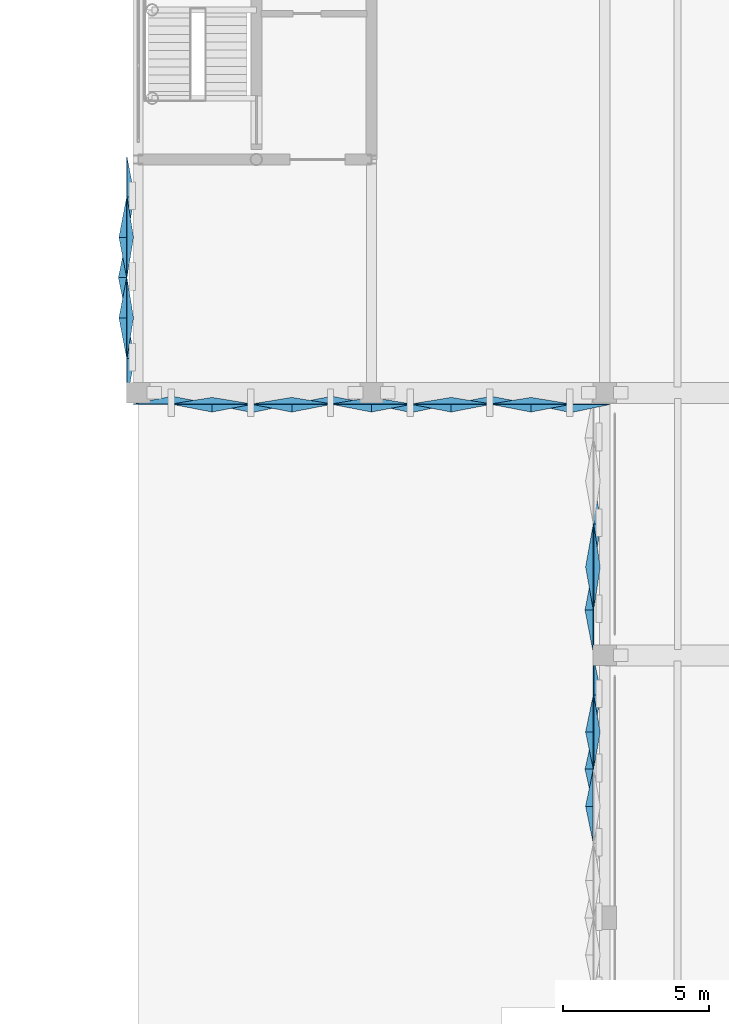
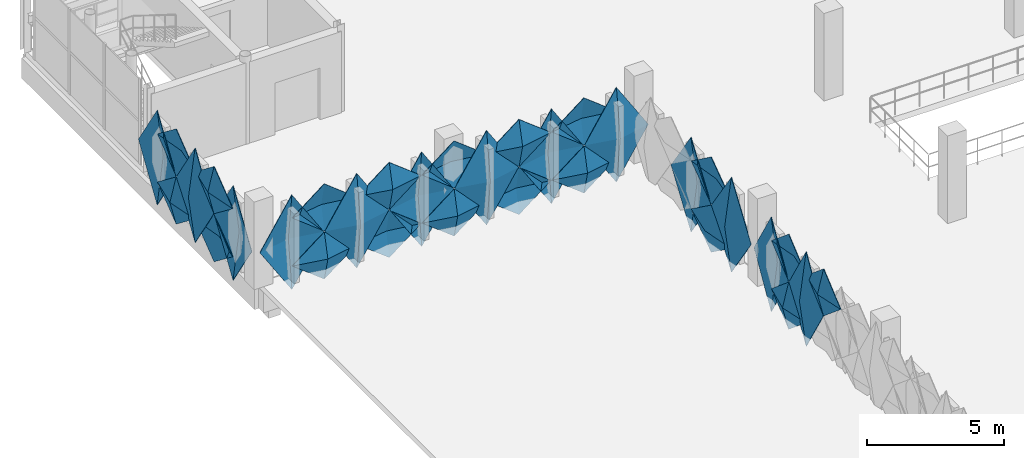
# One storey, part 66 of 96: 32 plates.
"""IFC4 building model written with IfcOpenShell, lengths in metres."""

from ifc_helpers import new_model, si_unit, derived_unit, direction, frame, origin, place, context, subcontext, project, spatial, polygons, material, layer, layer_set, type_object, element, save


model = new_model("IFC4")

# Units and contexts
model_context = context("Model", 3, precision=1e-05, world=origin(), true_north=direction((0.0, 1.0)))
body_context = subcontext(model_context, "Body", "Model", "MODEL_VIEW")
ifc_project = project(units=[si_unit("LENGTHUNIT", "METRE"), si_unit("AREAUNIT", "SQUARE_METRE"), si_unit("VOLUMEUNIT", "CUBIC_METRE"), si_unit("PLANEANGLEUNIT", "RADIAN"), si_unit("MASSUNIT", "GRAM", prefix="KILO"), si_unit("THERMODYNAMICTEMPERATUREUNIT", "KELVIN"), derived_unit("THERMALTRANSMITTANCEUNIT", [(si_unit("POWERUNIT", "WATT"), 1), (si_unit("AREAUNIT", "SQUARE_METRE"), -1), (si_unit("THERMODYNAMICTEMPERATUREUNIT", "KELVIN"), -1)])], contexts=[model_context])

# Site, building, storey
site_placement = place(None, origin())
site = spatial("IfcSite", under=ifc_project, at=site_placement, CompositionType="ELEMENT")
building_placement = place(site_placement, origin())
building = spatial("IfcBuilding", under=site, at=building_placement, Name="Haiyu Intermodal Mobility Hub", CompositionType="ELEMENT")
storey_placement = place(building_placement, frame((0.0, 0.0, 9.5)))
storey = spatial("IfcBuildingStorey", under=building, at=storey_placement, Name="L02", CompositionType="ELEMENT", Elevation=9.5)

# Plates
ifc_material = material(Name="Anodised aluminium 6063-T6", Category="aluminium")
ifc_layer_1 = layer(ifc_material, 0.01806640625)
ifc_layer_set_1 = layer_set([ifc_layer_1], Name="Anodised aluminium 6063-T6")
plate_type_1 = type_object("IfcPlateType", Name="PLT-FC01", PredefinedType="USERDEFINED", material=ifc_layer_set_1)
plate_1_placement = place(storey_placement, origin())
element("IfcPlate", 1, at=plate_1_placement, inside=storey, type_object=plate_type_1, Name="PLT-PYR-0629", ObjectType="FACADE CASSETTE", PredefinedType="USERDEFINED", context=body_context, shape_type="Tessellation", body=[
    polygons([(37.60009765625, 123.552978515625, -0.510009765625), (37.60009765625, 122.10009765625, 1.60009765625), (37.60009765625, 123.552978515625, 3.7099609375), (37.60009765625, 125.007080078125, 1.60009765625), (37.320068359375, 123.552978515625, 1.60009765625), (37.6220703125, 123.552978515625, -0.510009765625), (37.6220703125, 122.10009765625, 1.60009765625), (37.6220703125, 123.552978515625, 3.7099609375), (37.6220703125, 125.007080078125, 1.60009765625), (37.342041015625, 123.552978515625, 1.60009765625)], [[[1, 2, 5]], [[2, 3, 5]], [[3, 4, 5]], [[4, 1, 5]], [[7, 6, 10]], [[8, 7, 10]], [[9, 8, 10]], [[6, 9, 10]], [[1, 6, 7, 2]], [[2, 7, 8, 3]], [[3, 8, 9, 4]], [[4, 9, 6, 1]]], closed=True),
])
ifc_layer_2 = layer(ifc_material, 0.02001953125)
ifc_layer_set_2 = layer_set([ifc_layer_2], Name="Anodised aluminium 6063-T6")
plate_type_2 = type_object("IfcPlateType", Name="PLT-FC02", PredefinedType="USERDEFINED", material=ifc_layer_set_2)
plate_2_placement = place(storey_placement, origin())
element("IfcPlate", 2, at=plate_2_placement, inside=storey, type_object=plate_type_2, Name="PLT-PYR-2301", ObjectType="FACADE CASSETTE", PredefinedType="USERDEFINED", context=body_context, shape_type="Tessellation", body=[
    polygons([(21.60009765625, 132.18310546875, -0.510009765625), (21.60009765625, 130.820068359375, 1.60009765625), (21.60009765625, 132.18310546875, 3.7099609375), (21.60009765625, 133.547119140625, 1.60009765625), (21.860107421875, 132.18310546875, 1.60009765625), (21.6220703125, 132.18310546875, -0.510009765625), (21.6220703125, 130.820068359375, 1.60009765625), (21.6220703125, 132.18310546875, 3.7099609375), (21.6220703125, 133.547119140625, 1.60009765625), (21.882080078125, 132.18310546875, 1.60009765625)], [[[1, 2, 5]], [[2, 3, 5]], [[3, 4, 5]], [[4, 1, 5]], [[7, 6, 10]], [[8, 7, 10]], [[9, 8, 10]], [[6, 9, 10]], [[1, 6, 7, 2]], [[2, 7, 8, 3]], [[3, 8, 9, 4]], [[4, 9, 6, 1]]], closed=True),
])
plate_3_placement = place(storey_placement, origin())
element("IfcPlate", 3, at=plate_3_placement, inside=storey, type_object=plate_type_2, Name="PLT-PYR-2329", ObjectType="FACADE CASSETTE", PredefinedType="USERDEFINED", context=body_context, shape_type="Tessellation", body=[
    polygons([(28.633056640625, 130.60009765625, -0.510009765625), (29.97998046875, 130.60009765625, 1.60009765625), (28.633056640625, 130.60009765625, 3.7099609375), (27.287109375, 130.60009765625, 1.60009765625), (28.633056640625, 130.860107421875, 1.60009765625), (28.633056640625, 130.6220703125, -0.510009765625), (29.97998046875, 130.6220703125, 1.60009765625), (28.633056640625, 130.6220703125, 3.7099609375), (27.287109375, 130.6220703125, 1.60009765625), (28.633056640625, 130.882080078125, 1.60009765625)], [[[1, 2, 5]], [[2, 3, 5]], [[3, 4, 5]], [[4, 1, 5]], [[7, 6, 10]], [[8, 7, 10]], [[9, 8, 10]], [[6, 9, 10]], [[1, 6, 7, 2]], [[2, 7, 8, 3]], [[3, 8, 9, 4]], [[4, 9, 6, 1]]], closed=True),
])
ifc_layer_3 = layer(ifc_material, 0.01806640625)
ifc_layer_set_3 = layer_set([ifc_layer_3], Name="Anodised aluminium 6063-T6")
plate_type_3 = type_object("IfcPlateType", Name="PLT-FC03", PredefinedType="USERDEFINED", material=ifc_layer_set_3)
plate_4_placement = place(storey_placement, origin())
element("IfcPlate", 4, at=plate_4_placement, inside=storey, type_object=plate_type_3, Name="PLT-PYR-2332", ObjectType="FACADE CASSETTE", PredefinedType="USERDEFINED", context=body_context, shape_type="Tessellation", body=[
    polygons([(31.366943359375, 130.60009765625, -0.510009765625), (32.712890625, 130.60009765625, 1.60009765625), (31.366943359375, 130.60009765625, 3.7099609375), (30.02001953125, 130.60009765625, 1.60009765625), (31.366943359375, 130.320068359375, 1.60009765625), (31.366943359375, 130.6220703125, -0.510009765625), (32.712890625, 130.6220703125, 1.60009765625), (31.366943359375, 130.6220703125, 3.7099609375), (30.02001953125, 130.6220703125, 1.60009765625), (31.366943359375, 130.342041015625, 1.60009765625)], [[[1, 2, 5]], [[2, 3, 5]], [[3, 4, 5]], [[4, 1, 5]], [[7, 6, 10]], [[8, 7, 10]], [[9, 8, 10]], [[6, 9, 10]], [[1, 6, 7, 2]], [[2, 7, 8, 3]], [[3, 8, 9, 4]], [[4, 9, 6, 1]]], closed=True),
])
ifc_layer_4 = layer(ifc_material, 0.01806640625)
ifc_layer_set_4 = layer_set([ifc_layer_4], Name="Anodised aluminium 6063-T6")
plate_type_4 = type_object("IfcPlateType", Name="PLT-FC05", PredefinedType="USERDEFINED", material=ifc_layer_set_4)
plate_5_placement = place(storey_placement, origin())
element("IfcPlate", 5, at=plate_5_placement, inside=storey, type_object=plate_type_4, Name="PLT-PYR-0541", ObjectType="FACADE CASSETTE", PredefinedType="USERDEFINED", context=body_context, shape_type="Tessellation", body=[
    polygons([(37.60009765625, 119.37109375, -0.52001953125), (37.60009765625, 118.116943359375, 0.530029296875), (37.60009765625, 119.37109375, 1.580078125), (37.60009765625, 120.6259765625, 0.530029296875), (37.340087890625, 119.37109375, 0.530029296875), (37.6220703125, 119.37109375, -0.52001953125), (37.6220703125, 118.116943359375, 0.530029296875), (37.6220703125, 119.37109375, 1.580078125), (37.6220703125, 120.6259765625, 0.530029296875), (37.362060546875, 119.37109375, 0.530029296875)], [[[1, 2, 5]], [[2, 3, 5]], [[3, 4, 5]], [[4, 1, 5]], [[7, 6, 10]], [[8, 7, 10]], [[9, 8, 10]], [[6, 9, 10]], [[1, 6, 7, 2]], [[2, 7, 8, 3]], [[3, 8, 9, 4]], [[4, 9, 6, 1]]], closed=True),
])
plate_6_placement = place(storey_placement, origin())
element("IfcPlate", 6, at=plate_6_placement, inside=storey, type_object=plate_type_4, Name="PLT-PYR-0627", ObjectType="FACADE CASSETTE", PredefinedType="USERDEFINED", context=body_context, shape_type="Tessellation", body=[
    polygons([(37.60009765625, 125.027099609375, -0.52001953125), (37.60009765625, 123.572998046875, 0.530029296875), (37.60009765625, 125.027099609375, 1.580078125), (37.60009765625, 126.47998046875, 0.530029296875), (37.340087890625, 125.027099609375, 0.530029296875), (37.6220703125, 125.027099609375, -0.52001953125), (37.6220703125, 123.572998046875, 0.530029296875), (37.6220703125, 125.027099609375, 1.580078125), (37.6220703125, 126.47998046875, 0.530029296875), (37.362060546875, 125.027099609375, 0.530029296875)], [[[1, 2, 5]], [[2, 3, 5]], [[3, 4, 5]], [[4, 1, 5]], [[7, 6, 10]], [[8, 7, 10]], [[9, 8, 10]], [[6, 9, 10]], [[1, 6, 7, 2]], [[2, 7, 8, 3]], [[3, 8, 9, 4]], [[4, 9, 6, 1]]], closed=True),
])
plate_7_placement = place(storey_placement, origin())
element("IfcPlate", 7, at=plate_7_placement, inside=storey, type_object=plate_type_4, Name="PLT-PYR-2296", ObjectType="FACADE CASSETTE", PredefinedType="USERDEFINED", context=body_context, shape_type="Tessellation", body=[
    polygons([(21.60009765625, 136.3330078125, -0.52001953125), (21.60009765625, 134.969970703125, 0.530029296875), (21.60009765625, 136.3330078125, 1.580078125), (21.60009765625, 137.697021484375, 0.530029296875), (21.340087890625, 136.3330078125, 0.530029296875), (21.6220703125, 136.3330078125, -0.52001953125), (21.6220703125, 134.969970703125, 0.530029296875), (21.6220703125, 136.3330078125, 1.580078125), (21.6220703125, 137.697021484375, 0.530029296875), (21.362060546875, 136.3330078125, 0.530029296875)], [[[1, 2, 5]], [[2, 3, 5]], [[3, 4, 5]], [[4, 1, 5]], [[7, 6, 10]], [[8, 7, 10]], [[9, 8, 10]], [[6, 9, 10]], [[1, 6, 7, 2]], [[2, 7, 8, 3]], [[3, 8, 9, 4]], [[4, 9, 6, 1]]], closed=True),
])
plate_8_placement = place(storey_placement, origin())
element("IfcPlate", 8, at=plate_8_placement, inside=storey, type_object=plate_type_4, Name="PLT-PYR-2324", ObjectType="FACADE CASSETTE", PredefinedType="USERDEFINED", context=body_context, shape_type="Tessellation", body=[
    polygons([(24.532958984375, 130.60009765625, -0.52001953125), (25.8798828125, 130.60009765625, 0.530029296875), (24.532958984375, 130.60009765625, 1.580078125), (23.18701171875, 130.60009765625, 0.530029296875), (24.532958984375, 130.340087890625, 0.530029296875), (24.532958984375, 130.6220703125, -0.52001953125), (25.8798828125, 130.6220703125, 0.530029296875), (24.532958984375, 130.6220703125, 1.580078125), (23.18701171875, 130.6220703125, 0.530029296875), (24.532958984375, 130.362060546875, 0.530029296875)], [[[1, 2, 5]], [[2, 3, 5]], [[3, 4, 5]], [[4, 1, 5]], [[7, 6, 10]], [[8, 7, 10]], [[9, 8, 10]], [[6, 9, 10]], [[1, 6, 7, 2]], [[2, 7, 8, 3]], [[3, 8, 9, 4]], [[4, 9, 6, 1]]], closed=True),
])
plate_9_placement = place(storey_placement, origin())
element("IfcPlate", 9, at=plate_9_placement, inside=storey, type_object=plate_type_4, Name="PLT-PYR-2330", ObjectType="FACADE CASSETTE", PredefinedType="USERDEFINED", context=body_context, shape_type="Tessellation", body=[
    polygons([(30.0, 130.60009765625, -0.52001953125), (31.346923828125, 130.60009765625, 0.530029296875), (30.0, 130.60009765625, 1.580078125), (28.653076171875, 130.60009765625, 0.530029296875), (30.0, 130.340087890625, 0.530029296875), (30.0, 130.6220703125, -0.52001953125), (31.346923828125, 130.6220703125, 0.530029296875), (30.0, 130.6220703125, 1.580078125), (28.653076171875, 130.6220703125, 0.530029296875), (30.0, 130.362060546875, 0.530029296875)], [[[1, 2, 5]], [[2, 3, 5]], [[3, 4, 5]], [[4, 1, 5]], [[7, 6, 10]], [[8, 7, 10]], [[9, 8, 10]], [[6, 9, 10]], [[1, 6, 7, 2]], [[2, 7, 8, 3]], [[3, 8, 9, 4]], [[4, 9, 6, 1]]], closed=True),
])
plate_10_placement = place(storey_placement, origin())
element("IfcPlate", 10, at=plate_10_placement, inside=storey, type_object=plate_type_4, Name="PLT-PYR-2336", ObjectType="FACADE CASSETTE", PredefinedType="USERDEFINED", context=body_context, shape_type="Tessellation", body=[
    polygons([(35.467041015625, 130.60009765625, -0.52001953125), (36.81298828125, 130.60009765625, 0.530029296875), (35.467041015625, 130.60009765625, 1.580078125), (34.1201171875, 130.60009765625, 0.530029296875), (35.467041015625, 130.340087890625, 0.530029296875), (35.467041015625, 130.6220703125, -0.52001953125), (36.81298828125, 130.6220703125, 0.530029296875), (35.467041015625, 130.6220703125, 1.580078125), (34.1201171875, 130.6220703125, 0.530029296875), (35.467041015625, 130.362060546875, 0.530029296875)], [[[1, 2, 5]], [[2, 3, 5]], [[3, 4, 5]], [[4, 1, 5]], [[7, 6, 10]], [[8, 7, 10]], [[9, 8, 10]], [[6, 9, 10]], [[1, 6, 7, 2]], [[2, 7, 8, 3]], [[3, 8, 9, 4]], [[4, 9, 6, 1]]], closed=True),
])
ifc_layer_5 = layer(ifc_material, 0.02001953125)
ifc_layer_set_5 = layer_set([ifc_layer_5], Name="Anodised aluminium 6063-T6")
plate_type_5 = type_object("IfcPlateType", Name="PLT-FC06", PredefinedType="USERDEFINED", material=ifc_layer_set_5)
plate_11_placement = place(storey_placement, origin())
element("IfcPlate", 11, at=plate_11_placement, inside=storey, type_object=plate_type_5, Name="PLT-PYR-0540", ObjectType="FACADE CASSETTE", PredefinedType="USERDEFINED", context=body_context, shape_type="Tessellation", body=[
    polygons([(37.60009765625, 120.64599609375, -0.510009765625), (37.60009765625, 119.39111328125, 1.60009765625), (37.60009765625, 120.64599609375, 3.7099609375), (37.60009765625, 121.89990234375, 1.60009765625), (37.860107421875, 120.64599609375, 1.60009765625), (37.6220703125, 120.64599609375, -0.510009765625), (37.6220703125, 119.39111328125, 1.60009765625), (37.6220703125, 120.64599609375, 3.7099609375), (37.6220703125, 121.89990234375, 1.60009765625), (37.882080078125, 120.64599609375, 1.60009765625)], [[[1, 2, 5]], [[2, 3, 5]], [[3, 4, 5]], [[4, 1, 5]], [[7, 6, 10]], [[8, 7, 10]], [[9, 8, 10]], [[6, 9, 10]], [[1, 6, 7, 2]], [[2, 7, 8, 3]], [[3, 8, 9, 4]], [[4, 9, 6, 1]]], closed=True),
])
plate_12_placement = place(storey_placement, origin())
element("IfcPlate", 12, at=plate_12_placement, inside=storey, type_object=plate_type_5, Name="PLT-PYR-2295", ObjectType="FACADE CASSETTE", PredefinedType="USERDEFINED", context=body_context, shape_type="Tessellation", body=[
    polygons([(21.60009765625, 137.717041015625, -0.510009765625), (21.60009765625, 136.35302734375, 1.60009765625), (21.60009765625, 137.717041015625, 3.7099609375), (21.60009765625, 139.080078125, 1.60009765625), (21.860107421875, 137.717041015625, 1.60009765625), (21.6220703125, 137.717041015625, -0.510009765625), (21.6220703125, 136.35302734375, 1.60009765625), (21.6220703125, 137.717041015625, 3.7099609375), (21.6220703125, 139.080078125, 1.60009765625), (21.882080078125, 137.717041015625, 1.60009765625)], [[[1, 2, 5]], [[2, 3, 5]], [[3, 4, 5]], [[4, 1, 5]], [[7, 6, 10]], [[8, 7, 10]], [[9, 8, 10]], [[6, 9, 10]], [[1, 6, 7, 2]], [[2, 7, 8, 3]], [[3, 8, 9, 4]], [[4, 9, 6, 1]]], closed=True),
])
plate_13_placement = place(storey_placement, origin())
element("IfcPlate", 13, at=plate_13_placement, inside=storey, type_object=plate_type_5, Name="PLT-PYR-2299", ObjectType="FACADE CASSETTE", PredefinedType="USERDEFINED", context=body_context, shape_type="Tessellation", body=[
    polygons([(21.60009765625, 133.56689453125, -0.52001953125), (21.60009765625, 132.202880859375, 0.530029296875), (21.60009765625, 133.56689453125, 1.580078125), (21.60009765625, 134.929931640625, 0.530029296875), (21.820068359375, 133.56689453125, 0.530029296875), (21.6220703125, 133.56689453125, -0.52001953125), (21.6220703125, 132.202880859375, 0.530029296875), (21.6220703125, 133.56689453125, 1.580078125), (21.6220703125, 134.929931640625, 0.530029296875), (21.842041015625, 133.56689453125, 0.530029296875)], [[[1, 2, 5]], [[2, 3, 5]], [[3, 4, 5]], [[4, 1, 5]], [[7, 6, 10]], [[8, 7, 10]], [[9, 8, 10]], [[6, 9, 10]], [[1, 6, 7, 2]], [[2, 7, 8, 3]], [[3, 8, 9, 4]], [[4, 9, 6, 1]]], closed=True),
])
plate_14_placement = place(storey_placement, origin())
element("IfcPlate", 14, at=plate_14_placement, inside=storey, type_object=plate_type_5, Name="PLT-PYR-2323", ObjectType="FACADE CASSETTE", PredefinedType="USERDEFINED", context=body_context, shape_type="Tessellation", body=[
    polygons([(23.1669921875, 130.60009765625, -0.510009765625), (24.512939453125, 130.60009765625, 1.60009765625), (23.1669921875, 130.60009765625, 3.7099609375), (21.820068359375, 130.60009765625, 1.60009765625), (23.1669921875, 130.860107421875, 1.60009765625), (23.1669921875, 130.6220703125, -0.510009765625), (24.512939453125, 130.6220703125, 1.60009765625), (23.1669921875, 130.6220703125, 3.7099609375), (21.820068359375, 130.6220703125, 1.60009765625), (23.1669921875, 130.882080078125, 1.60009765625)], [[[1, 2, 5]], [[2, 3, 5]], [[3, 4, 5]], [[4, 1, 5]], [[7, 6, 10]], [[8, 7, 10]], [[9, 8, 10]], [[6, 9, 10]], [[1, 6, 7, 2]], [[2, 7, 8, 3]], [[3, 8, 9, 4]], [[4, 9, 6, 1]]], closed=True),
])
plate_15_placement = place(storey_placement, origin())
element("IfcPlate", 15, at=plate_15_placement, inside=storey, type_object=plate_type_5, Name="PLT-PYR-2327", ObjectType="FACADE CASSETTE", PredefinedType="USERDEFINED", context=body_context, shape_type="Tessellation", body=[
    polygons([(27.26708984375, 130.60009765625, -0.52001953125), (28.613037109375, 130.60009765625, 0.530029296875), (27.26708984375, 130.60009765625, 1.580078125), (25.919921875, 130.60009765625, 0.530029296875), (27.26708984375, 130.820068359375, 0.530029296875), (27.26708984375, 130.6220703125, -0.52001953125), (28.613037109375, 130.6220703125, 0.530029296875), (27.26708984375, 130.6220703125, 1.580078125), (25.919921875, 130.6220703125, 0.530029296875), (27.26708984375, 130.842041015625, 0.530029296875)], [[[1, 2, 5]], [[2, 3, 5]], [[3, 4, 5]], [[4, 1, 5]], [[7, 6, 10]], [[8, 7, 10]], [[9, 8, 10]], [[6, 9, 10]], [[1, 6, 7, 2]], [[2, 7, 8, 3]], [[3, 8, 9, 4]], [[4, 9, 6, 1]]], closed=True),
])
plate_16_placement = place(storey_placement, origin())
element("IfcPlate", 16, at=plate_16_placement, inside=storey, type_object=plate_type_5, Name="PLT-PYR-2333", ObjectType="FACADE CASSETTE", PredefinedType="USERDEFINED", context=body_context, shape_type="Tessellation", body=[
    polygons([(32.73291015625, 130.60009765625, -0.52001953125), (34.080078125, 130.60009765625, 0.530029296875), (32.73291015625, 130.60009765625, 1.580078125), (31.386962890625, 130.60009765625, 0.530029296875), (32.73291015625, 130.820068359375, 0.530029296875), (32.73291015625, 130.6220703125, -0.52001953125), (34.080078125, 130.6220703125, 0.530029296875), (32.73291015625, 130.6220703125, 1.580078125), (31.386962890625, 130.6220703125, 0.530029296875), (32.73291015625, 130.842041015625, 0.530029296875)], [[[1, 2, 5]], [[2, 3, 5]], [[3, 4, 5]], [[4, 1, 5]], [[7, 6, 10]], [[8, 7, 10]], [[9, 8, 10]], [[6, 9, 10]], [[1, 6, 7, 2]], [[2, 7, 8, 3]], [[3, 8, 9, 4]], [[4, 9, 6, 1]]], closed=True),
])
plate_17_placement = place(storey_placement, origin())
element("IfcPlate", 17, at=plate_17_placement, inside=storey, type_object=plate_type_5, Name="PLT-PYR-2335", ObjectType="FACADE CASSETTE", PredefinedType="USERDEFINED", context=body_context, shape_type="Tessellation", body=[
    polygons([(34.10009765625, 130.60009765625, -0.510009765625), (35.447021484375, 130.60009765625, 1.60009765625), (34.10009765625, 130.60009765625, 3.7099609375), (32.7529296875, 130.60009765625, 1.60009765625), (34.10009765625, 130.860107421875, 1.60009765625), (34.10009765625, 130.6220703125, -0.510009765625), (35.447021484375, 130.6220703125, 1.60009765625), (34.10009765625, 130.6220703125, 3.7099609375), (32.7529296875, 130.6220703125, 1.60009765625), (34.10009765625, 130.882080078125, 1.60009765625)], [[[1, 2, 5]], [[2, 3, 5]], [[3, 4, 5]], [[4, 1, 5]], [[7, 6, 10]], [[8, 7, 10]], [[9, 8, 10]], [[6, 9, 10]], [[1, 6, 7, 2]], [[2, 7, 8, 3]], [[3, 8, 9, 4]], [[4, 9, 6, 1]]], closed=True),
])
ifc_layer_6 = layer(ifc_material, 0.02197265625)
ifc_layer_set_6 = layer_set([ifc_layer_6], Name="Anodised aluminium 6063-T6")
plate_type_6 = type_object("IfcPlateType", Name="PLT-FC07", PredefinedType="USERDEFINED", material=ifc_layer_set_6)
plate_18_placement = place(storey_placement, origin())
element("IfcPlate", 18, at=plate_18_placement, inside=storey, type_object=plate_type_6, Name="PLT-PYR-0543", ObjectType="FACADE CASSETTE", PredefinedType="USERDEFINED", context=body_context, shape_type="Tessellation", body=[
    polygons([(37.60009765625, 118.096923828125, -0.510009765625), (37.60009765625, 116.843017578125, 1.60009765625), (37.60009765625, 118.096923828125, 3.7099609375), (37.60009765625, 119.35107421875, 1.60009765625), (37.320068359375, 118.096923828125, 1.60009765625), (37.6220703125, 118.096923828125, -0.510009765625), (37.6220703125, 116.843017578125, 1.60009765625), (37.6220703125, 118.096923828125, 3.7099609375), (37.6220703125, 119.35107421875, 1.60009765625), (37.342041015625, 118.096923828125, 1.60009765625)], [[[1, 2, 5]], [[2, 3, 5]], [[3, 4, 5]], [[4, 1, 5]], [[7, 6, 10]], [[8, 7, 10]], [[9, 8, 10]], [[6, 9, 10]], [[1, 6, 7, 2]], [[2, 7, 8, 3]], [[3, 8, 9, 4]], [[4, 9, 6, 1]]], closed=True),
])
plate_19_placement = place(storey_placement, origin())
element("IfcPlate", 19, at=plate_19_placement, inside=storey, type_object=plate_type_6, Name="PLT-PYR-0545", ObjectType="FACADE CASSETTE", PredefinedType="USERDEFINED", context=body_context, shape_type="Tessellation", body=[
    polygons([(37.60009765625, 116.822998046875, 1.6201171875), (37.60009765625, 115.569091796875, 2.669921875), (37.60009765625, 116.822998046875, 3.719970703125), (37.60009765625, 118.076904296875, 2.669921875), (37.340087890625, 116.822998046875, 2.669921875), (37.6220703125, 116.822998046875, 1.6201171875), (37.6220703125, 115.569091796875, 2.669921875), (37.6220703125, 116.822998046875, 3.719970703125), (37.6220703125, 118.076904296875, 2.669921875), (37.362060546875, 116.822998046875, 2.669921875)], [[[1, 2, 5]], [[2, 3, 5]], [[3, 4, 5]], [[4, 1, 5]], [[7, 6, 10]], [[8, 7, 10]], [[9, 8, 10]], [[6, 9, 10]], [[1, 6, 7, 2]], [[2, 7, 8, 3]], [[3, 8, 9, 4]], [[4, 9, 6, 1]]], closed=True),
])
plate_20_placement = place(storey_placement, origin())
element("IfcPlate", 20, at=plate_20_placement, inside=storey, type_object=plate_type_6, Name="PLT-PYR-2298", ObjectType="FACADE CASSETTE", PredefinedType="USERDEFINED", context=body_context, shape_type="Tessellation", body=[
    polygons([(21.60009765625, 134.949951171875, -0.510009765625), (21.60009765625, 133.5869140625, 1.60009765625), (21.60009765625, 134.949951171875, 3.7099609375), (21.60009765625, 136.31298828125, 1.60009765625), (21.320068359375, 134.949951171875, 1.60009765625), (21.6220703125, 134.949951171875, -0.510009765625), (21.6220703125, 133.5869140625, 1.60009765625), (21.6220703125, 134.949951171875, 3.7099609375), (21.6220703125, 136.31298828125, 1.60009765625), (21.342041015625, 134.949951171875, 1.60009765625)], [[[1, 2, 5]], [[2, 3, 5]], [[3, 4, 5]], [[4, 1, 5]], [[7, 6, 10]], [[8, 7, 10]], [[9, 8, 10]], [[6, 9, 10]], [[1, 6, 7, 2]], [[2, 7, 8, 3]], [[3, 8, 9, 4]], [[4, 9, 6, 1]]], closed=True),
])
plate_21_placement = place(storey_placement, origin())
element("IfcPlate", 21, at=plate_21_placement, inside=storey, type_object=plate_type_6, Name="PLT-PYR-2300", ObjectType="FACADE CASSETTE", PredefinedType="USERDEFINED", context=body_context, shape_type="Tessellation", body=[
    polygons([(21.60009765625, 133.56689453125, 1.6201171875), (21.60009765625, 132.202880859375, 2.669921875), (21.60009765625, 133.56689453125, 3.719970703125), (21.60009765625, 134.929931640625, 2.669921875), (21.340087890625, 133.56689453125, 2.669921875), (21.6220703125, 133.56689453125, 1.6201171875), (21.6220703125, 132.202880859375, 2.669921875), (21.6220703125, 133.56689453125, 3.719970703125), (21.6220703125, 134.929931640625, 2.669921875), (21.362060546875, 133.56689453125, 2.669921875)], [[[1, 2, 5]], [[2, 3, 5]], [[3, 4, 5]], [[4, 1, 5]], [[7, 6, 10]], [[8, 7, 10]], [[9, 8, 10]], [[6, 9, 10]], [[1, 6, 7, 2]], [[2, 7, 8, 3]], [[3, 8, 9, 4]], [[4, 9, 6, 1]]], closed=True),
])
plate_22_placement = place(storey_placement, origin())
element("IfcPlate", 22, at=plate_22_placement, inside=storey, type_object=plate_type_6, Name="PLT-PYR-2326", ObjectType="FACADE CASSETTE", PredefinedType="USERDEFINED", context=body_context, shape_type="Tessellation", body=[
    polygons([(25.89990234375, 130.60009765625, -0.510009765625), (27.2470703125, 130.60009765625, 1.60009765625), (25.89990234375, 130.60009765625, 3.7099609375), (24.552978515625, 130.60009765625, 1.60009765625), (25.89990234375, 130.320068359375, 1.60009765625), (25.89990234375, 130.6220703125, -0.510009765625), (27.2470703125, 130.6220703125, 1.60009765625), (25.89990234375, 130.6220703125, 3.7099609375), (24.552978515625, 130.6220703125, 1.60009765625), (25.89990234375, 130.342041015625, 1.60009765625)], [[[1, 2, 5]], [[2, 3, 5]], [[3, 4, 5]], [[4, 1, 5]], [[7, 6, 10]], [[8, 7, 10]], [[9, 8, 10]], [[6, 9, 10]], [[1, 6, 7, 2]], [[2, 7, 8, 3]], [[3, 8, 9, 4]], [[4, 9, 6, 1]]], closed=True),
])
plate_23_placement = place(storey_placement, origin())
element("IfcPlate", 23, at=plate_23_placement, inside=storey, type_object=plate_type_6, Name="PLT-PYR-2328", ObjectType="FACADE CASSETTE", PredefinedType="USERDEFINED", context=body_context, shape_type="Tessellation", body=[
    polygons([(27.26708984375, 130.60009765625, 1.6201171875), (28.613037109375, 130.60009765625, 2.669921875), (27.26708984375, 130.60009765625, 3.719970703125), (25.919921875, 130.60009765625, 2.669921875), (27.26708984375, 130.340087890625, 2.669921875), (27.26708984375, 130.6220703125, 1.6201171875), (28.613037109375, 130.6220703125, 2.669921875), (27.26708984375, 130.6220703125, 3.719970703125), (25.919921875, 130.6220703125, 2.669921875), (27.26708984375, 130.362060546875, 2.669921875)], [[[1, 2, 5]], [[2, 3, 5]], [[3, 4, 5]], [[4, 1, 5]], [[7, 6, 10]], [[8, 7, 10]], [[9, 8, 10]], [[6, 9, 10]], [[1, 6, 7, 2]], [[2, 7, 8, 3]], [[3, 8, 9, 4]], [[4, 9, 6, 1]]], closed=True),
])
plate_24_placement = place(storey_placement, origin())
element("IfcPlate", 24, at=plate_24_placement, inside=storey, type_object=plate_type_6, Name="PLT-PYR-2334", ObjectType="FACADE CASSETTE", PredefinedType="USERDEFINED", context=body_context, shape_type="Tessellation", body=[
    polygons([(32.73291015625, 130.60009765625, 1.6201171875), (34.080078125, 130.60009765625, 2.669921875), (32.73291015625, 130.60009765625, 3.719970703125), (31.386962890625, 130.60009765625, 2.669921875), (32.73291015625, 130.340087890625, 2.669921875), (32.73291015625, 130.6220703125, 1.6201171875), (34.080078125, 130.6220703125, 2.669921875), (32.73291015625, 130.6220703125, 3.719970703125), (31.386962890625, 130.6220703125, 2.669921875), (32.73291015625, 130.362060546875, 2.669921875)], [[[1, 2, 5]], [[2, 3, 5]], [[3, 4, 5]], [[4, 1, 5]], [[7, 6, 10]], [[8, 7, 10]], [[9, 8, 10]], [[6, 9, 10]], [[1, 6, 7, 2]], [[2, 7, 8, 3]], [[3, 8, 9, 4]], [[4, 9, 6, 1]]], closed=True),
])
plate_25_placement = place(storey_placement, origin())
element("IfcPlate", 25, at=plate_25_placement, inside=storey, type_object=plate_type_6, Name="PLT-PYR-2338", ObjectType="FACADE CASSETTE", PredefinedType="USERDEFINED", context=body_context, shape_type="Tessellation", body=[
    polygons([(36.8330078125, 130.60009765625, -0.510009765625), (38.179931640625, 130.60009765625, 1.60009765625), (36.8330078125, 130.60009765625, 3.7099609375), (35.487060546875, 130.60009765625, 1.60009765625), (36.8330078125, 130.320068359375, 1.60009765625), (36.8330078125, 130.6220703125, -0.510009765625), (38.179931640625, 130.6220703125, 1.60009765625), (36.8330078125, 130.6220703125, 3.7099609375), (35.487060546875, 130.6220703125, 1.60009765625), (36.8330078125, 130.342041015625, 1.60009765625)], [[[1, 2, 5]], [[2, 3, 5]], [[3, 4, 5]], [[4, 1, 5]], [[7, 6, 10]], [[8, 7, 10]], [[9, 8, 10]], [[6, 9, 10]], [[1, 6, 7, 2]], [[2, 7, 8, 3]], [[3, 8, 9, 4]], [[4, 9, 6, 1]]], closed=True),
])
ifc_layer_7 = layer(ifc_material, 0.02392578125)
ifc_layer_set_7 = layer_set([ifc_layer_7], Name="Anodised aluminium 6063-T6")
plate_type_7 = type_object("IfcPlateType", Name="PLT-FC08", PredefinedType="USERDEFINED", material=ifc_layer_set_7)
plate_26_placement = place(storey_placement, origin())
element("IfcPlate", 26, at=plate_26_placement, inside=storey, type_object=plate_type_7, Name="PLT-PYR-0542", ObjectType="FACADE CASSETTE", PredefinedType="USERDEFINED", context=body_context, shape_type="Tessellation", body=[
    polygons([(37.60009765625, 119.37109375, 1.6201171875), (37.60009765625, 118.116943359375, 2.669921875), (37.60009765625, 119.37109375, 3.719970703125), (37.60009765625, 120.6259765625, 2.669921875), (37.820068359375, 119.37109375, 2.669921875), (37.6220703125, 119.37109375, 1.6201171875), (37.6220703125, 118.116943359375, 2.669921875), (37.6220703125, 119.37109375, 3.719970703125), (37.6220703125, 120.6259765625, 2.669921875), (37.842041015625, 119.37109375, 2.669921875)], [[[1, 2, 5]], [[2, 3, 5]], [[3, 4, 5]], [[4, 1, 5]], [[7, 6, 10]], [[8, 7, 10]], [[9, 8, 10]], [[6, 9, 10]], [[1, 6, 7, 2]], [[2, 7, 8, 3]], [[3, 8, 9, 4]], [[4, 9, 6, 1]]], closed=True),
])
plate_27_placement = place(storey_placement, origin())
element("IfcPlate", 27, at=plate_27_placement, inside=storey, type_object=plate_type_7, Name="PLT-PYR-0626", ObjectType="FACADE CASSETTE", PredefinedType="USERDEFINED", context=body_context, shape_type="Tessellation", body=[
    polygons([(37.60009765625, 126.5, -0.510009765625), (37.60009765625, 125.047119140625, 1.60009765625), (37.60009765625, 126.5, 3.7099609375), (37.60009765625, 127.952880859375, 1.60009765625), (37.860107421875, 126.5, 1.60009765625), (37.6220703125, 126.5, -0.510009765625), (37.6220703125, 125.047119140625, 1.60009765625), (37.6220703125, 126.5, 3.7099609375), (37.6220703125, 127.952880859375, 1.60009765625), (37.882080078125, 126.5, 1.60009765625)], [[[1, 2, 5]], [[2, 3, 5]], [[3, 4, 5]], [[4, 1, 5]], [[7, 6, 10]], [[8, 7, 10]], [[9, 8, 10]], [[6, 9, 10]], [[1, 6, 7, 2]], [[2, 7, 8, 3]], [[3, 8, 9, 4]], [[4, 9, 6, 1]]], closed=True),
])
plate_28_placement = place(storey_placement, origin())
element("IfcPlate", 28, at=plate_28_placement, inside=storey, type_object=plate_type_7, Name="PLT-PYR-0628", ObjectType="FACADE CASSETTE", PredefinedType="USERDEFINED", context=body_context, shape_type="Tessellation", body=[
    polygons([(37.60009765625, 125.027099609375, 1.6201171875), (37.60009765625, 123.572998046875, 2.669921875), (37.60009765625, 125.027099609375, 3.719970703125), (37.60009765625, 126.47998046875, 2.669921875), (37.820068359375, 125.027099609375, 2.669921875), (37.6220703125, 125.027099609375, 1.6201171875), (37.6220703125, 123.572998046875, 2.669921875), (37.6220703125, 125.027099609375, 3.719970703125), (37.6220703125, 126.47998046875, 2.669921875), (37.842041015625, 125.027099609375, 2.669921875)], [[[1, 2, 5]], [[2, 3, 5]], [[3, 4, 5]], [[4, 1, 5]], [[7, 6, 10]], [[8, 7, 10]], [[9, 8, 10]], [[6, 9, 10]], [[1, 6, 7, 2]], [[2, 7, 8, 3]], [[3, 8, 9, 4]], [[4, 9, 6, 1]]], closed=True),
])
plate_29_placement = place(storey_placement, origin())
element("IfcPlate", 29, at=plate_29_placement, inside=storey, type_object=plate_type_7, Name="PLT-PYR-2297", ObjectType="FACADE CASSETTE", PredefinedType="USERDEFINED", context=body_context, shape_type="Tessellation", body=[
    polygons([(21.60009765625, 136.3330078125, 1.6201171875), (21.60009765625, 134.969970703125, 2.669921875), (21.60009765625, 136.3330078125, 3.719970703125), (21.60009765625, 137.697021484375, 2.669921875), (21.820068359375, 136.3330078125, 2.669921875), (21.6220703125, 136.3330078125, 1.6201171875), (21.6220703125, 134.969970703125, 2.669921875), (21.6220703125, 136.3330078125, 3.719970703125), (21.6220703125, 137.697021484375, 2.669921875), (21.842041015625, 136.3330078125, 2.669921875)], [[[1, 2, 5]], [[2, 3, 5]], [[3, 4, 5]], [[4, 1, 5]], [[7, 6, 10]], [[8, 7, 10]], [[9, 8, 10]], [[6, 9, 10]], [[1, 6, 7, 2]], [[2, 7, 8, 3]], [[3, 8, 9, 4]], [[4, 9, 6, 1]]], closed=True),
])
plate_30_placement = place(storey_placement, origin())
element("IfcPlate", 30, at=plate_30_placement, inside=storey, type_object=plate_type_7, Name="PLT-PYR-2325", ObjectType="FACADE CASSETTE", PredefinedType="USERDEFINED", context=body_context, shape_type="Tessellation", body=[
    polygons([(24.532958984375, 130.60009765625, 1.6201171875), (25.8798828125, 130.60009765625, 2.669921875), (24.532958984375, 130.60009765625, 3.719970703125), (23.18701171875, 130.60009765625, 2.669921875), (24.532958984375, 130.820068359375, 2.669921875), (24.532958984375, 130.6220703125, 1.6201171875), (25.8798828125, 130.6220703125, 2.669921875), (24.532958984375, 130.6220703125, 3.719970703125), (23.18701171875, 130.6220703125, 2.669921875), (24.532958984375, 130.842041015625, 2.669921875)], [[[1, 2, 5]], [[2, 3, 5]], [[3, 4, 5]], [[4, 1, 5]], [[7, 6, 10]], [[8, 7, 10]], [[9, 8, 10]], [[6, 9, 10]], [[1, 6, 7, 2]], [[2, 7, 8, 3]], [[3, 8, 9, 4]], [[4, 9, 6, 1]]], closed=True),
])
plate_31_placement = place(storey_placement, origin())
element("IfcPlate", 31, at=plate_31_placement, inside=storey, type_object=plate_type_7, Name="PLT-PYR-2331", ObjectType="FACADE CASSETTE", PredefinedType="USERDEFINED", context=body_context, shape_type="Tessellation", body=[
    polygons([(30.0, 130.60009765625, 1.6201171875), (31.346923828125, 130.60009765625, 2.669921875), (30.0, 130.60009765625, 3.719970703125), (28.653076171875, 130.60009765625, 2.669921875), (30.0, 130.820068359375, 2.669921875), (30.0, 130.6220703125, 1.6201171875), (31.346923828125, 130.6220703125, 2.669921875), (30.0, 130.6220703125, 3.719970703125), (28.653076171875, 130.6220703125, 2.669921875), (30.0, 130.842041015625, 2.669921875)], [[[1, 2, 5]], [[2, 3, 5]], [[3, 4, 5]], [[4, 1, 5]], [[7, 6, 10]], [[8, 7, 10]], [[9, 8, 10]], [[6, 9, 10]], [[1, 6, 7, 2]], [[2, 7, 8, 3]], [[3, 8, 9, 4]], [[4, 9, 6, 1]]], closed=True),
])
plate_32_placement = place(storey_placement, origin())
element("IfcPlate", 32, at=plate_32_placement, inside=storey, type_object=plate_type_7, Name="PLT-PYR-2337", ObjectType="FACADE CASSETTE", PredefinedType="USERDEFINED", context=body_context, shape_type="Tessellation", body=[
    polygons([(35.467041015625, 130.60009765625, 1.6201171875), (36.81298828125, 130.60009765625, 2.669921875), (35.467041015625, 130.60009765625, 3.719970703125), (34.1201171875, 130.60009765625, 2.669921875), (35.467041015625, 130.820068359375, 2.669921875), (35.467041015625, 130.6220703125, 1.6201171875), (36.81298828125, 130.6220703125, 2.669921875), (35.467041015625, 130.6220703125, 3.719970703125), (34.1201171875, 130.6220703125, 2.669921875), (35.467041015625, 130.842041015625, 2.669921875)], [[[1, 2, 5]], [[2, 3, 5]], [[3, 4, 5]], [[4, 1, 5]], [[7, 6, 10]], [[8, 7, 10]], [[9, 8, 10]], [[6, 9, 10]], [[1, 6, 7, 2]], [[2, 7, 8, 3]], [[3, 8, 9, 4]], [[4, 9, 6, 1]]], closed=True),
])

save(model, "model.ifc")
